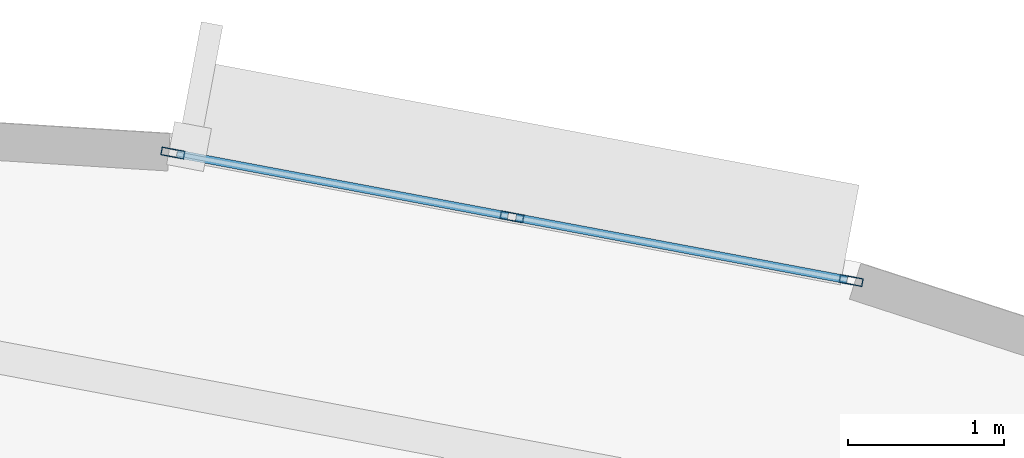
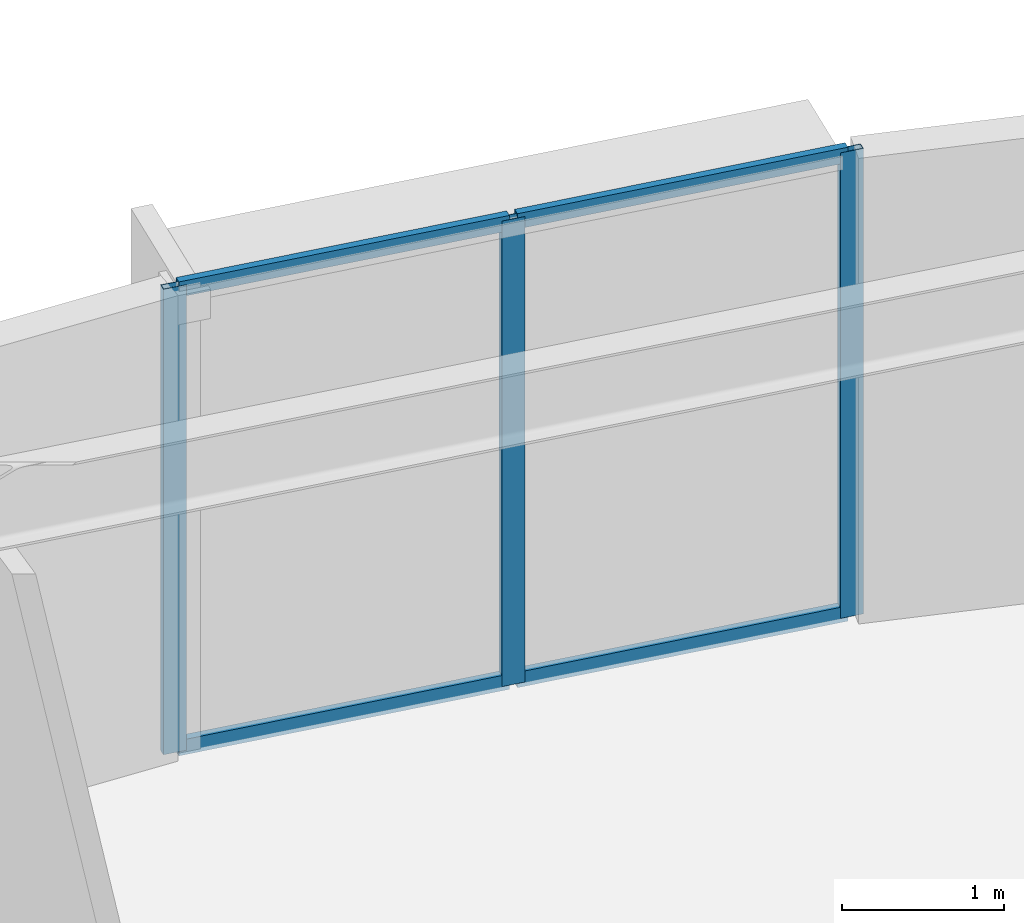
# One storey, part 5 of 18: 7 members, 1 element without a shape of its own.
"""IFC4 building model written with IfcOpenShell, lengths in metres."""

from ifc_helpers import new_model, si_unit, direction, frame, origin, origin_2d, place, context, subcontext, project, spatial, hollow_rectangle, extrude, source, transform, mapped, material, layer, layer_set, material_profile, profile_set, type_object, element, aggregate, save


model = new_model("IFC4")

# Units and contexts
model_context = context("Model", 3, precision=1e-05, world=origin(), true_north=direction((0.0, 1.0)))
body_context = subcontext(model_context, "Body", "Model", "MODEL_VIEW")
ifc_project = project(units=[si_unit("LENGTHUNIT", "METRE"), si_unit("AREAUNIT", "SQUARE_METRE"), si_unit("VOLUMEUNIT", "CUBIC_METRE"), si_unit("PLANEANGLEUNIT", "RADIAN"), si_unit("MASSUNIT", "GRAM", prefix="KILO")], contexts=[model_context])

# Site, building, storey
site_placement = place(None, origin())
site = spatial("IfcSite", under=ifc_project, at=site_placement, CompositionType="ELEMENT")
building_placement = place(site_placement, origin())
building = spatial("IfcBuilding", under=site, at=building_placement, Name="Linh Dai School and Residence Tower", CompositionType="ELEMENT")
storey_placement = place(building_placement, frame((0.0, 0.0, 104.699951171875)))
storey = spatial("IfcBuildingStorey", under=building, at=storey_placement, Name="L24", CompositionType="ELEMENT", Elevation=104.699951171875)

# Curtain wall, members
ifc_material_1 = material(Name="Aluminium Anodised Curtain Wall", Category="aluminium")
ifc_layer = layer(ifc_material_1, 0.14990234375)
ifc_layer_set = layer_set([ifc_layer], Name="Aluminium Anodised Curtain Wall")
curtain_wall_type = type_object("IfcCurtainWallType", Name="CW-SYS-4", PredefinedType="USERDEFINED", material=ifc_layer_set)
curtain_wall_placement = place(storey_placement, origin())
curtain_wall = element("IfcCurtainWall", 1, at=curtain_wall_placement, inside=storey, type_object=curtain_wall_type, Name="L24 CW4 Curtain Wall 09", ObjectType="RIBBON CURTAIN WALL", PredefinedType="USERDEFINED")
ifc_material_2 = material(Name="Aluminium Alloy 6063-T6", Category="aluminium")
ifc_material_profile_1 = material_profile(ifc_material_2, hollow_rectangle(XDim=0.052001953125, YDim=0.14990234375, WallThickness=0.00390625, at=origin_2d()), Name="RHS 150x52x4")
ifc_profile_set_1 = profile_set([ifc_material_profile_1], Name="Aluminium Alloy 6063-T6")
member_type_1 = type_object("IfcMemberType", Name="CW-SYS-4-MUL", PredefinedType="MULLION", material=ifc_profile_set_1)
shared_shape_1 = source(origin(), body_context, "Body", "SweptSolid", [
    extrude(hollow_rectangle(XDim=0.052001953125, YDim=0.14990234375, WallThickness=0.00390625, at=origin_2d()), origin(), (0.0, 0.0, 1.0), 3.5),
])
member_1_placement = place(storey_placement, frame((40.531005859375, 49.22265625, 0.0), z_axis=(0.0, 0.0, 1.0), x_axis=(0.18475466193, 0.982784673718, 0.0)))
member_1 = element("IfcMember", 2, at=member_1_placement, type_object=member_type_1, Name="CW4 mullion 1", PredefinedType="MULLION", context=body_context, shape_type="MappedRepresentation", body=[
    mapped(shared_shape_1, transform((0.0, 0.0, 0.0), x_axis=(1.0, 0.0, 0.0), y_axis=(0.0, 1.0, 0.0), z_axis=(0.0, 0.0, 1.0), scale=1.0)),
])
member_2_placement = place(storey_placement, frame((42.70263671875, 48.814208984375, 0.0), z_axis=(0.0, 0.0, 1.0), x_axis=(0.18475466193, 0.982784673718, 0.0)))
member_2 = element("IfcMember", 3, at=member_2_placement, type_object=member_type_1, Name="CW4 mullion 2", PredefinedType="MULLION", context=body_context, shape_type="MappedRepresentation", body=[
    mapped(shared_shape_1, transform((0.0, 0.0, 0.0), x_axis=(1.0, 0.0, 0.0), y_axis=(0.0, 1.0, 0.0), z_axis=(0.0, 0.0, 1.0), scale=1.0)),
])
member_3_placement = place(storey_placement, frame((44.874267578125, 48.406005859375, 0.0), z_axis=(0.0, 0.0, 1.0), x_axis=(0.18475466193, 0.982784673718, 0.0)))
member_3 = element("IfcMember", 4, at=member_3_placement, type_object=member_type_1, Name="CW4 mullion 3", PredefinedType="MULLION", context=body_context, shape_type="MappedRepresentation", body=[
    mapped(shared_shape_1, transform((0.0, 0.0, 0.0), x_axis=(1.0, 0.0, 0.0), y_axis=(0.0, 1.0, 0.0), z_axis=(0.0, 0.0, 1.0), scale=1.0)),
])
ifc_material_profile_2 = material_profile(ifc_material_2, hollow_rectangle(XDim=0.052001953125, YDim=0.114990234375, WallThickness=0.00390625, at=origin_2d()), Name="RHS 115x52x4")
ifc_profile_set_2 = profile_set([ifc_material_profile_2], Name="Aluminium Alloy 6063-T6")
member_type_2 = type_object("IfcMemberType", Name="CW-SYS-4-TRN", PredefinedType="USERDEFINED", material=ifc_profile_set_2)
shared_shape_2 = source(origin(), body_context, "Body", "SweptSolid", [
    extrude(hollow_rectangle(XDim=0.052001953125, YDim=0.114990234375, WallThickness=0.00390625, at=origin_2d()), origin(), (0.0, 0.0, 1.0), 2.157470703125),
])
member_4_placement = place(storey_placement, frame((40.556640625, 49.2177734375, 0.026123046875), z_axis=(0.982778544787, -0.184787261213, 0.0), x_axis=(0.184787261213, 0.982778544787, 0.0)))
member_4 = element("IfcMember", 5, at=member_4_placement, type_object=member_type_2, Name="CW4 transom 1.1", ObjectType="TRANSOM", PredefinedType="USERDEFINED", context=body_context, shape_type="MappedRepresentation", body=[
    mapped(shared_shape_2, transform((0.0, 0.0, 0.0), x_axis=(1.0, 0.0, 0.0), y_axis=(0.0, 1.0, 0.0), z_axis=(0.0, 0.0, 1.0), scale=1.0)),
])
member_5_placement = place(storey_placement, frame((40.556640625, 49.2177734375, 3.47412109375), z_axis=(0.982778544787, -0.184787261213, 0.0), x_axis=(0.184787261213, 0.982778544787, 0.0)))
member_5 = element("IfcMember", 6, at=member_5_placement, type_object=member_type_2, Name="CW4 transom 1.2", ObjectType="TRANSOM", PredefinedType="USERDEFINED", context=body_context, shape_type="MappedRepresentation", body=[
    mapped(shared_shape_2, transform((0.0, 0.0, 0.0), x_axis=(1.0, 0.0, 0.0), y_axis=(0.0, 1.0, 0.0), z_axis=(0.0, 0.0, 1.0), scale=1.0)),
])
member_6_placement = place(storey_placement, frame((42.728271484375, 48.8095703125, 0.026123046875), z_axis=(0.982778544787, -0.184787261213, 0.0), x_axis=(0.184787261213, 0.982778544787, 0.0)))
member_6 = element("IfcMember", 7, at=member_6_placement, type_object=member_type_2, Name="CW4 transom 2.1", ObjectType="TRANSOM", PredefinedType="USERDEFINED", context=body_context, shape_type="MappedRepresentation", body=[
    mapped(shared_shape_2, transform((0.0, 0.0, 0.0), x_axis=(1.0, 0.0, 0.0), y_axis=(0.0, 1.0, 0.0), z_axis=(0.0, 0.0, 1.0), scale=1.0)),
])
member_7_placement = place(storey_placement, frame((42.728271484375, 48.8095703125, 3.47412109375), z_axis=(0.982778544787, -0.184787261213, 0.0), x_axis=(0.184787261213, 0.982778544787, 0.0)))
member_7 = element("IfcMember", 8, at=member_7_placement, type_object=member_type_2, Name="CW4 transom 2.2", ObjectType="TRANSOM", PredefinedType="USERDEFINED", context=body_context, shape_type="MappedRepresentation", body=[
    mapped(shared_shape_2, transform((0.0, 0.0, 0.0), x_axis=(1.0, 0.0, 0.0), y_axis=(0.0, 1.0, 0.0), z_axis=(0.0, 0.0, 1.0), scale=1.0)),
])
aggregate(curtain_wall, [member_1, member_2, member_3, member_4, member_5, member_6, member_7])

save(model, "model.ifc")
